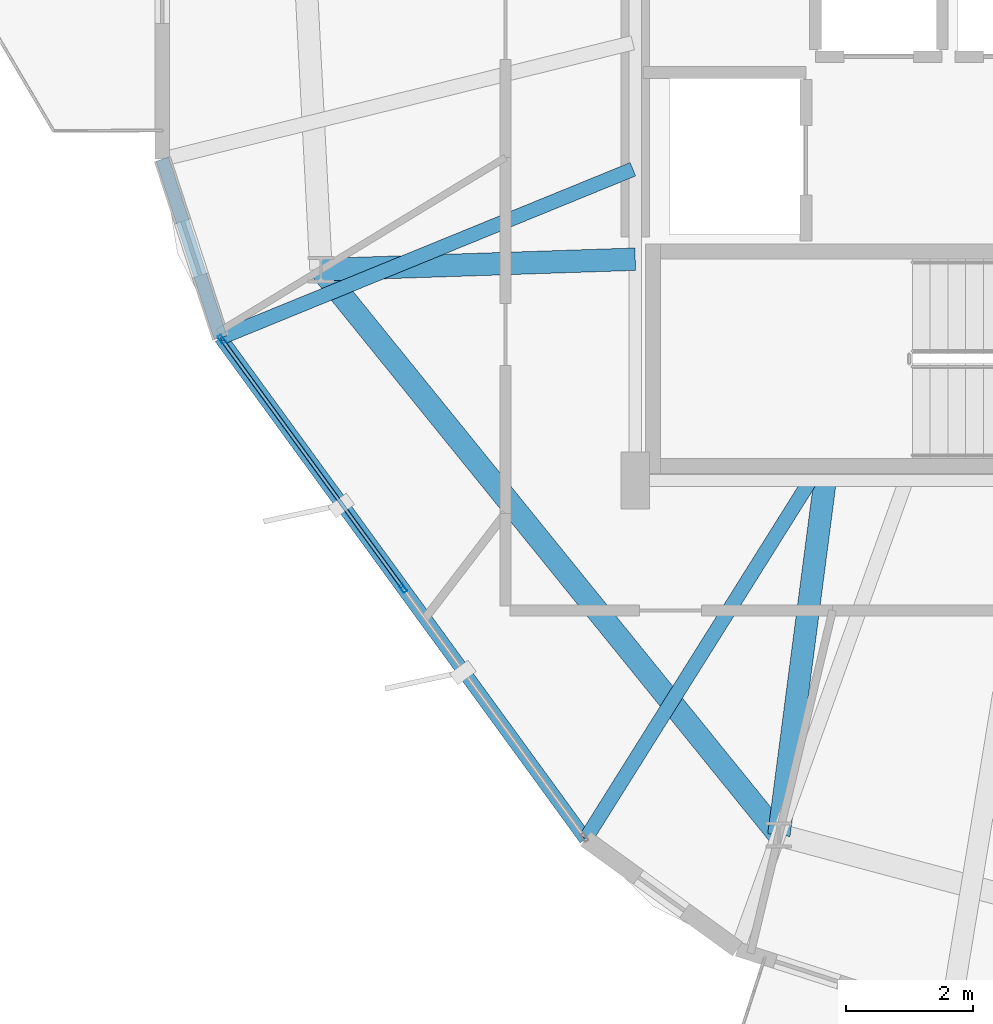
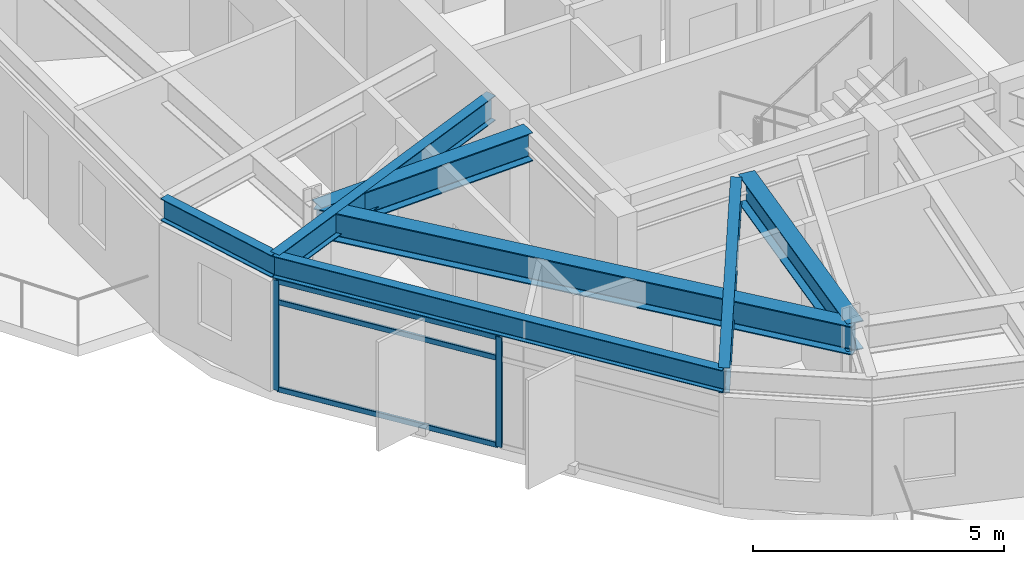
# One storey, part 3 of 31: 7 beams, 5 members, 1 element without a shape of its own.
"""IFC4 building model written with IfcOpenShell, lengths in metres."""

from ifc_helpers import new_model, si_unit, direction, frame, origin, origin_2d, place, context, subcontext, project, spatial, hollow_rectangle, i_section, extrude, material, layer, layer_set, material_profile, profile_set, type_object, element, aggregate, save


model = new_model("IFC4")

# Units and contexts
model_context = context("Model", 3, precision=1e-05, world=origin(), true_north=direction((0.0, 1.0)))
body_context = subcontext(model_context, "Body", "Model", "MODEL_VIEW")
ifc_project = project(units=[si_unit("LENGTHUNIT", "METRE"), si_unit("AREAUNIT", "SQUARE_METRE"), si_unit("VOLUMEUNIT", "CUBIC_METRE"), si_unit("PLANEANGLEUNIT", "RADIAN"), si_unit("MASSUNIT", "GRAM", prefix="KILO")], contexts=[model_context])

# Site, building, storey
site_placement = place(None, origin())
site = spatial("IfcSite", under=ifc_project, at=site_placement, CompositionType="ELEMENT")
building_placement = place(site_placement, origin())
building = spatial("IfcBuilding", under=site, at=building_placement, Name="Soratama Intermodal Tower", CompositionType="ELEMENT")
storey_placement = place(building_placement, frame((0.0, 0.0, 230.199951171875)))
storey = spatial("IfcBuildingStorey", under=building, at=storey_placement, Name="L58", CompositionType="ELEMENT", Elevation=230.199951171875)

# Beams
ifc_material_1 = material(Name="Structural steel ASTM A992 Grade 50", Category="steel")
ifc_material_profile_1 = material_profile(ifc_material_1, i_section(OverallWidth=0.35498046875, OverallDepth=0.695068359375, WebThickness=0.015380859375, FlangeThickness=0.02490234375, FilletRadius=0.01611328125, at=origin_2d()), Name="W27X146")
ifc_profile_set_1 = profile_set([ifc_material_profile_1], Name="Structural steel ASTM A992 Grade 50")
beam_type_1 = type_object("IfcBeamType", Name="BM-RING-W27X146", PredefinedType="BEAM", material=ifc_profile_set_1)
beam_1_placement = place(storey_placement, frame((27.635009765625, 18.333984375, 2.95263671875), z_axis=(0.629384551156, -0.777094001242, 0.0), x_axis=(0.777094001242, 0.629384551156, 0.0)))
element("IfcBeam", 1, at=beam_1_placement, inside=storey, type_object=beam_type_1, Name="BM-L58-RING-06", PredefinedType="BEAM", context=body_context, shape_type="SweptSolid", body=[
    extrude(i_section(OverallWidth=0.35498046875, OverallDepth=0.695068359375, WebThickness=0.015380859375, FlangeThickness=0.02490234375, FilletRadius=0.01611328125, at=origin_2d()), origin(), (0.0, 0.0, 1.0), 11.49560546875),
])
beam_2_placement = place(storey_placement, frame((32.60009765625, 18.5, 2.95263671875), z_axis=(-0.999441465401, -0.033417917907, 0.0), x_axis=(0.033417917907, -0.999441465401, 0.0)))
element("IfcBeam", 2, at=beam_2_placement, inside=storey, type_object=beam_type_1, Name="BM-L58-RAD-06", PredefinedType="BEAM", context=body_context, shape_type="SweptSolid", body=[
    extrude(i_section(OverallWidth=0.35498046875, OverallDepth=0.695068359375, WebThickness=0.015380859375, FlangeThickness=0.02490234375, FilletRadius=0.01611328125, at=origin_2d()), origin(), (0.0, 0.0, 1.0), 4.9677734375),
])
beam_3_placement = place(storey_placement, frame((35.60009765625, 15.0, 2.95263671875), z_axis=(-0.129280033694, -0.991608124658, 0.0), x_axis=(0.991608124658, -0.129280033694, 0.0)))
element("IfcBeam", 3, at=beam_3_placement, inside=storey, type_object=beam_type_1, Name="BM-L58-RAD-07", PredefinedType="BEAM", context=body_context, shape_type="SweptSolid", body=[
    extrude(i_section(OverallWidth=0.35498046875, OverallDepth=0.695068359375, WebThickness=0.015380859375, FlangeThickness=0.02490234375, FilletRadius=0.01611328125, at=origin_2d()), origin(), (0.0, 0.0, 1.0), 5.646484375),
])
ifc_material_2 = material(Name="Structural steel ASTM A992 Grade 50", Category="steel")
ifc_material_profile_2 = material_profile(ifc_material_2, i_section(OverallWidth=0.2099609375, OverallDepth=0.537109375, WebThickness=0.010986328125, FlangeThickness=0.017333984375, FilletRadius=0.012939453125, at=origin_2d()), Name="W21X68")
ifc_profile_set_2 = profile_set([ifc_material_profile_2], Name="Structural steel ASTM A992 Grade 50")
beam_type_2 = type_object("IfcBeamType", Name="BM-SPN-W21X68", PredefinedType="SPANDREL", material=ifc_profile_set_2)
beam_4_placement = place(storey_placement, frame((25.1279296875, 20.080078125, 3.031494140625), z_axis=(0.31019687091, -0.950672341702, 0.0), x_axis=(0.950672341702, 0.31019687091, 0.0)))
element("IfcBeam", 4, at=beam_4_placement, inside=storey, type_object=beam_type_2, Name="BS-L58-CRN04", PredefinedType="SPANDREL", context=body_context, shape_type="SweptSolid", body=[
    extrude(i_section(OverallWidth=0.2099609375, OverallDepth=0.537109375, WebThickness=0.010986328125, FlangeThickness=0.017333984375, FilletRadius=0.012939453125, at=origin_2d()), origin(), (0.0, 0.0, 1.0), 2.96630859375),
])
beam_5_placement = place(storey_placement, frame((26.048095703125, 17.260009765625, 3.031494140625), z_axis=(0.588584988091, -0.808435347937, 0.0), x_axis=(0.808435347937, 0.588584988091, 0.0)))
element("IfcBeam", 5, at=beam_5_placement, inside=storey, type_object=beam_type_2, Name="BS-L58-F05", PredefinedType="SPANDREL", context=body_context, shape_type="SweptSolid", body=[
    extrude(i_section(OverallWidth=0.2099609375, OverallDepth=0.537109375, WebThickness=0.010986328125, FlangeThickness=0.017333984375, FilletRadius=0.012939453125, at=origin_2d()), origin(), (0.0, 0.0, 1.0), 9.7978515625),
])
ifc_material_3 = material(Name="Structural steel ASTM A992 Grade 50", Category="steel")
ifc_material_profile_3 = material_profile(ifc_material_3, i_section(OverallWidth=0.22900390625, OverallDepth=0.612060546875, WebThickness=0.011962890625, FlangeThickness=0.01953125, FilletRadius=0.012939453125, at=origin_2d()), Name="W24X84")
ifc_profile_set_3 = profile_set([ifc_material_profile_3], Name="Structural steel ASTM A992 Grade 50")
beam_type_3 = type_object("IfcBeamType", Name="BM-TIE-W24X84", PredefinedType="BEAM", material=ifc_profile_set_3)
beam_6_placement = place(storey_placement, frame((32.56298828125, 19.9208984375, 2.994140625), z_axis=(-0.925760672005, -0.378110008026, 0.0), x_axis=(0.378110008026, -0.925760672005, 0.0)))
element("IfcBeam", 6, at=beam_6_placement, inside=storey, type_object=beam_type_3, Name="BM-L58-TIE0-05", PredefinedType="BEAM", context=body_context, shape_type="SweptSolid", body=[
    extrude(i_section(OverallWidth=0.22900390625, OverallDepth=0.612060546875, WebThickness=0.011962890625, FlangeThickness=0.01953125, FilletRadius=0.012939453125, at=origin_2d()), origin(), (0.0, 0.0, 1.0), 7.037353515625),
])
beam_7_placement = place(storey_placement, frame((35.343994140625, 14.966064453125, 2.994140625), z_axis=(-0.531319890021, -0.847171278118, 0.0), x_axis=(0.847171278118, -0.531319890021, 0.0)))
element("IfcBeam", 7, at=beam_7_placement, inside=storey, type_object=beam_type_3, Name="BM-L58-TIE1-05", PredefinedType="BEAM", context=body_context, shape_type="SweptSolid", body=[
    extrude(i_section(OverallWidth=0.22900390625, OverallDepth=0.612060546875, WebThickness=0.011962890625, FlangeThickness=0.01953125, FilletRadius=0.012939453125, at=origin_2d()), origin(), (0.0, 0.0, 1.0), 6.64208984375),
])

# Curtain wall, members
ifc_material_4 = material(Name="Double-glazed aluminium curtain wall", Category="aluminium")
ifc_layer = layer(ifc_material_4, 0.159912109375)
ifc_layer_set = layer_set([ifc_layer], Name="Double-glazed aluminium curtain wall")
curtain_wall_type = type_object("IfcCurtainWallType", Name="CW-SYS-5", PredefinedType="NOTDEFINED", material=ifc_layer_set)
curtain_wall_placement = place(storey_placement, origin())
curtain_wall = element("IfcCurtainWall", 8, at=curtain_wall_placement, inside=storey, type_object=curtain_wall_type, Name="L58 Faceted Curtain Wall F05", PredefinedType="NOTDEFINED")
ifc_material_5 = material(Name="Anodised aluminium AA 6063-T6", Category="aluminium")
ifc_material_profile_4 = material_profile(ifc_material_5, hollow_rectangle(XDim=0.06494140625, YDim=0.139892578125, WallThickness=0.0048828125, InnerFilletRadius=0.0048828125, OuterFilletRadius=0.010009765625, at=origin_2d()), Name="CWM140X65X5")
ifc_profile_set_4 = profile_set([ifc_material_profile_4], Name="Anodised aluminium AA 6063-T6")
member_type_1 = type_object("IfcMemberType", Name="MT-CWM-5", PredefinedType="MULLION", material=ifc_profile_set_4)
member_1_placement = place(storey_placement, frame((26.0654296875, 17.235595703125, 0.0), z_axis=(0.0, 0.0, 1.0), x_axis=(0.808395658706, 0.588639498323, 0.0)))
member_1 = element("IfcMember", 9, at=member_1_placement, type_object=member_type_1, Name="CW-5 mullion 1", PredefinedType="MULLION", context=body_context, shape_type="SweptSolid", body=[
    extrude(hollow_rectangle(XDim=0.06494140625, YDim=0.139892578125, WallThickness=0.0048828125, InnerFilletRadius=0.0048828125, OuterFilletRadius=0.010009765625, at=origin_2d()), origin(), (0.0, 0.0, 1.0), 2.678955078125),
])
member_2_placement = place(storey_placement, frame((28.931396484375, 13.2998046875, 0.0), z_axis=(0.0, 0.0, 1.0), x_axis=(0.808395658706, 0.588639498323, 0.0)))
member_2 = element("IfcMember", 10, at=member_2_placement, type_object=member_type_1, Name="CW-5 mullion 2", PredefinedType="MULLION", context=body_context, shape_type="SweptSolid", body=[
    extrude(hollow_rectangle(XDim=0.06494140625, YDim=0.139892578125, WallThickness=0.0048828125, InnerFilletRadius=0.0048828125, OuterFilletRadius=0.010009765625, at=origin_2d()), origin(), (0.0, 0.0, 1.0), 2.678955078125),
])
ifc_material_6 = material(Name="Anodised aluminium AA 6063-T6", Category="aluminium")
ifc_material_profile_5 = material_profile(ifc_material_6, hollow_rectangle(XDim=0.06005859375, YDim=0.1298828125, WallThickness=0.0048828125, InnerFilletRadius=0.0048828125, OuterFilletRadius=0.010009765625, at=origin_2d()), Name="CWT130X60X5")
ifc_profile_set_5 = profile_set([ifc_material_profile_5], Name="Anodised aluminium AA 6063-T6")
member_type_2 = type_object("IfcMemberType", Name="TT-CWT-2", PredefinedType="USERDEFINED", material=ifc_profile_set_5)
member_3_placement = place(storey_placement, frame((26.0830078125, 17.21142578125, 0.030029296875), z_axis=(0.588624416717, -0.808406640278, 0.0), x_axis=(0.808406640278, 0.588624416717, 0.0)))
member_3 = element("IfcMember", 11, at=member_3_placement, type_object=member_type_2, Name="CW-5 transom 1.1", ObjectType="TRANSOM", PredefinedType="USERDEFINED", context=body_context, shape_type="SweptSolid", body=[
    extrude(hollow_rectangle(XDim=0.06005859375, YDim=0.1298828125, WallThickness=0.0048828125, InnerFilletRadius=0.0048828125, OuterFilletRadius=0.010009765625, at=origin_2d()), origin(), (0.0, 0.0, 1.0), 4.808837890625),
])
member_4_placement = place(storey_placement, frame((26.0830078125, 17.21142578125, 2.150146484375), z_axis=(0.588624416717, -0.808406640278, 0.0), x_axis=(0.808406640278, 0.588624416717, 0.0)))
member_4 = element("IfcMember", 12, at=member_4_placement, type_object=member_type_2, Name="CW-5 transom 1.2", ObjectType="TRANSOM", PredefinedType="USERDEFINED", context=body_context, shape_type="SweptSolid", body=[
    extrude(hollow_rectangle(XDim=0.06005859375, YDim=0.1298828125, WallThickness=0.0048828125, InnerFilletRadius=0.0048828125, OuterFilletRadius=0.010009765625, at=origin_2d()), origin(), (0.0, 0.0, 1.0), 4.808837890625),
])
member_5_placement = place(storey_placement, frame((26.0830078125, 17.21142578125, 2.649169921875), z_axis=(0.588624416717, -0.808406640278, 0.0), x_axis=(0.808406640278, 0.588624416717, 0.0)))
member_5 = element("IfcMember", 13, at=member_5_placement, type_object=member_type_2, Name="CW-5 transom 1.3", ObjectType="TRANSOM", PredefinedType="USERDEFINED", context=body_context, shape_type="SweptSolid", body=[
    extrude(hollow_rectangle(XDim=0.06005859375, YDim=0.1298828125, WallThickness=0.0048828125, InnerFilletRadius=0.0048828125, OuterFilletRadius=0.010009765625, at=origin_2d()), origin(), (0.0, 0.0, 1.0), 4.808837890625),
])
aggregate(curtain_wall, [member_1, member_2, member_3, member_4, member_5])

save(model, "model.ifc")
